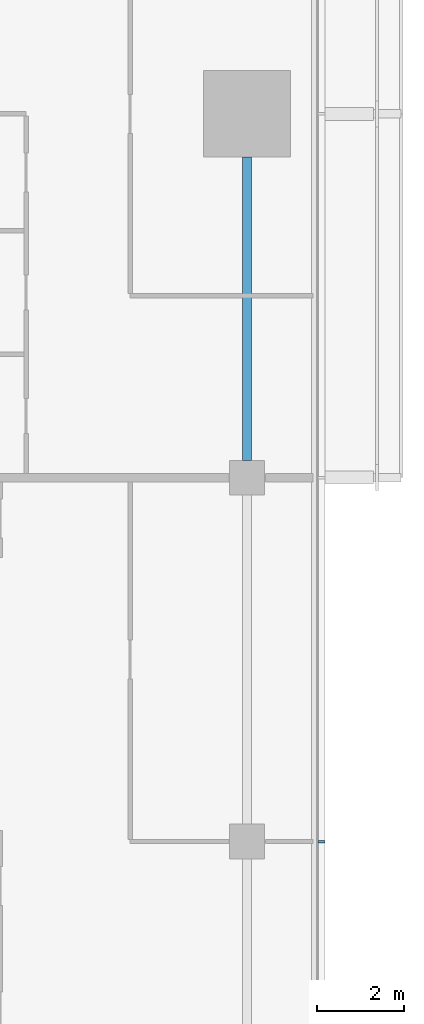
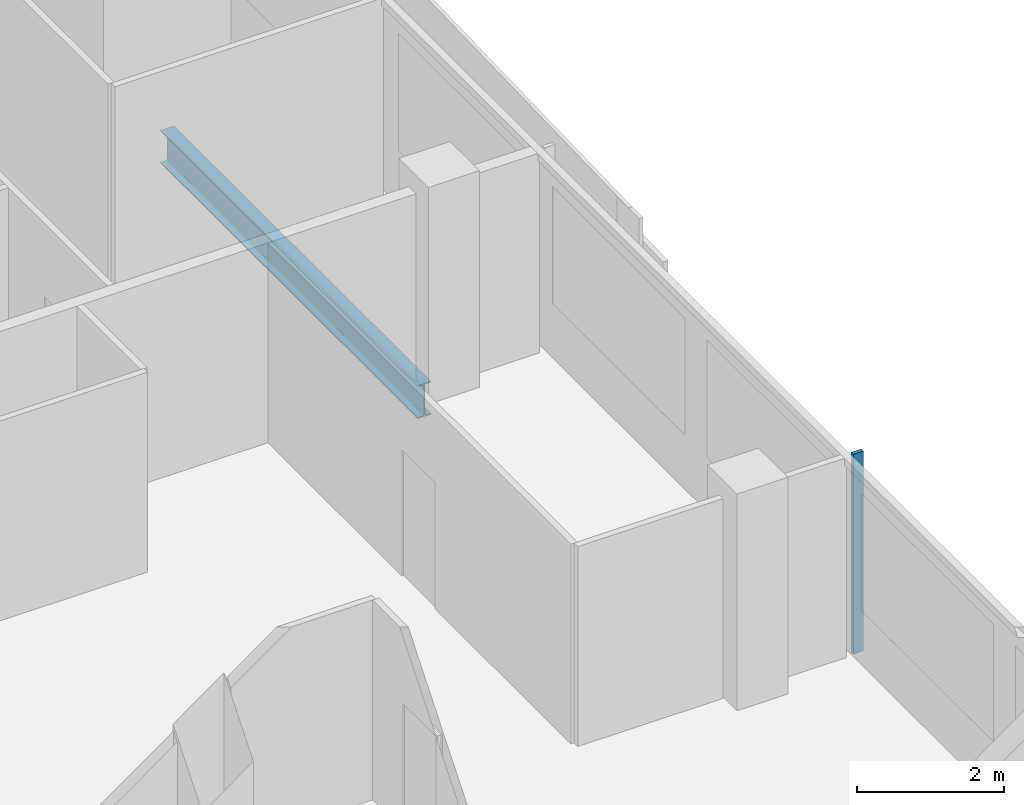
# One storey, part 11 of 27: 1 beam, 1 member, 1 element without a shape of its own.
"""IFC4 building model written with IfcOpenShell, lengths in metres."""

from ifc_helpers import new_model, si_unit, direction, frame, origin, origin_2d, place, context, subcontext, project, spatial, rectangle, i_section, extrude, material, material_profile, profile_set, type_object, element, aggregate, save


model = new_model("IFC4")

# Units and contexts
model_context = context("Model", 3, precision=1e-05, world=origin(), true_north=direction((0.0, 1.0)))
body_context = subcontext(model_context, "Body", "Model", "MODEL_VIEW")
ifc_project = project(units=[si_unit("LENGTHUNIT", "METRE"), si_unit("AREAUNIT", "SQUARE_METRE"), si_unit("VOLUMEUNIT", "CUBIC_METRE"), si_unit("PLANEANGLEUNIT", "RADIAN"), si_unit("MASSUNIT", "GRAM", prefix="KILO")], contexts=[model_context])

# Site, building, storey
site_placement = place(None, origin())
site = spatial("IfcSite", under=ifc_project, at=site_placement, CompositionType="ELEMENT")
building_placement = place(site_placement, origin())
building = spatial("IfcBuilding", under=site, at=building_placement, Name="Saffron Gate Tower", CompositionType="ELEMENT")
storey_placement = place(building_placement, frame((0.0, 0.0, 134.85009765625)))
storey = spatial("IfcBuildingStorey", under=building, at=storey_placement, Name="L32", CompositionType="ELEMENT", Elevation=134.85009765625)

# Beam
ifc_material_1 = material(Name="Structural steel S355", Category="steel")
ifc_material_profile_1 = material_profile(ifc_material_1, i_section(OverallWidth=0.2099609375, OverallDepth=0.550048828125, WebThickness=0.010986328125, FlangeThickness=0.01708984375, FilletRadius=0.02392578125, at=origin_2d()))
ifc_profile_set_1 = profile_set([ifc_material_profile_1], Name="Structural steel S355")
beam_type = type_object("IfcBeamType", Name="B13 IPE 550", PredefinedType="SPANDREL", material=ifc_profile_set_1)
beam_placement = place(storey_placement, frame((125.39990234375, 57.39990234375, -0.55517578125), z_axis=(0.0, 1.0, 0.0), x_axis=(-1.0, 0.0, 0.0)))
element("IfcBeam", 1, at=beam_placement, inside=storey, type_object=beam_type, Name="B13 SPANDREL BEAM", PredefinedType="SPANDREL", context=body_context, shape_type="SweptSolid", body=[
    extrude(i_section(OverallWidth=0.2099609375, OverallDepth=0.550048828125, WebThickness=0.010986328125, FlangeThickness=0.01708984375, FilletRadius=0.02392578125, at=origin_2d()), origin(), (0.0, 0.0, 1.0), 7.0),
])

# Curtain wall, member
ifc_material_2 = material(Name="Aluminium, bronze anodised", Category="aluminium")
curtain_wall_type = type_object("IfcCurtainWallType", Name="CWS2 curtain wall side facades", PredefinedType="NOTDEFINED", material=ifc_material_2)
curtain_wall_placement = place(storey_placement, origin())
curtain_wall = element("IfcCurtainWall", 2, at=curtain_wall_placement, inside=storey, type_object=curtain_wall_type, Name="CWS2 run 4", PredefinedType="NOTDEFINED")
ifc_material_profile_2 = material_profile(ifc_material_2, rectangle(XDim=0.159912109375, YDim=0.06005859375, at=origin_2d()))
ifc_profile_set_2 = profile_set([ifc_material_profile_2], Name="Aluminium, bronze anodised")
member_type = type_object("IfcMemberType", Name="CWS2 mullion 60x160", PredefinedType="MULLION", material=ifc_profile_set_2)
member_placement = place(storey_placement, frame((127.1201171875, 48.60009765625, 0.0), z_axis=(0.0, 0.0, 1.0), x_axis=(-1.0, 0.0, 0.0)))
member = element("IfcMember", 3, at=member_placement, type_object=member_type, Name="CWS2 mullion 3", PredefinedType="MULLION", context=body_context, shape_type="SweptSolid", body=[
    extrude(rectangle(XDim=0.159912109375, YDim=0.06005859375, at=origin_2d()), origin(), (0.0, 0.0, 1.0), 3.31982421875),
])
aggregate(curtain_wall, [member])

save(model, "model.ifc")
